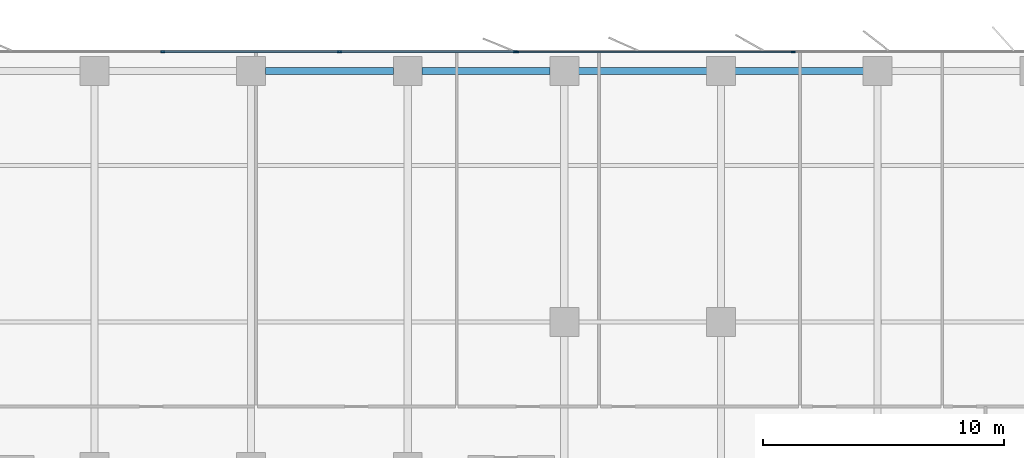
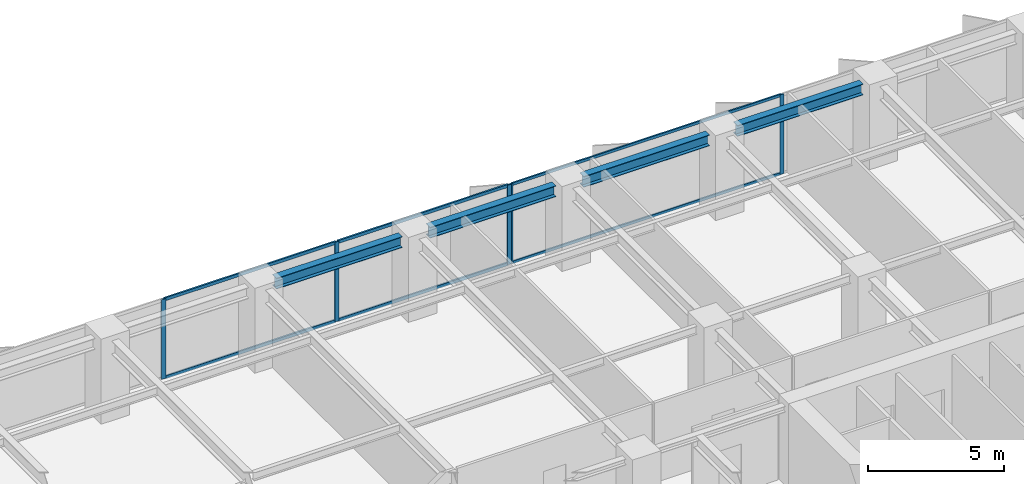
# One storey, part 9 of 20: 11 members, 4 beams, 2 elements without a shape of their own.
"""IFC4 building model written with IfcOpenShell, lengths in metres."""

from ifc_helpers import new_model, si_unit, direction, frame, origin, origin_2d, place, context, subcontext, project, spatial, rectangle, i_section, extrude, material, layer, layer_set, material_profile, profile_set, type_object, element, aggregate, save


model = new_model("IFC4")

# Units and contexts
model_context = context("Model", 3, precision=1e-05, world=origin(), true_north=direction((0.0, 1.0)))
body_context = subcontext(model_context, "Body", "Model", "MODEL_VIEW")
ifc_project = project(units=[si_unit("LENGTHUNIT", "METRE"), si_unit("AREAUNIT", "SQUARE_METRE"), si_unit("VOLUMEUNIT", "CUBIC_METRE"), si_unit("PLANEANGLEUNIT", "RADIAN"), si_unit("MASSUNIT", "GRAM", prefix="KILO")], contexts=[model_context])

# Site, building, storey
site_placement = place(None, origin())
site = spatial("IfcSite", under=ifc_project, at=site_placement, CompositionType="ELEMENT")
building_placement = place(site_placement, origin())
building = spatial("IfcBuilding", under=site, at=building_placement, Name="Putna Gate Headquarters", CompositionType="ELEMENT")
storey_placement = place(building_placement, frame((0.0, 0.0, 108.800048828125)))
storey = spatial("IfcBuildingStorey", under=building, at=storey_placement, Name="L26", CompositionType="ELEMENT", Elevation=108.800048828125)

# Beams
ifc_material_1 = material(Name="Steel S355J2", Category="steel")
ifc_material_profile_1 = material_profile(ifc_material_1, i_section(OverallWidth=0.300048828125, OverallDepth=0.489990234375, WebThickness=0.011962890625, FlangeThickness=0.02294921875, at=origin_2d()), Name="Steel S355J2")
ifc_profile_set_1 = profile_set([ifc_material_profile_1], Name="Steel S355J2")
beam_type = type_object("IfcBeamType", Name="BM-SPAN-Z2-HEA500", PredefinedType="SPANDREL", material=ifc_profile_set_1)
for number, where, z_axis, x_axis, name in (
    (1, (39.587890625, 49.419921875, 3.320068359375), (1.0, 0.0, 0.0), (0.0, 1.0, 0.0), "L26 N Perimeter Spandrel 6"),
    (2, (46.087890625, 49.419921875, 3.320068359375), (1.0, 0.0, 0.0), (0.0, 1.0, 0.0), "L26 N Perimeter Spandrel 7"),
    (3, (52.587890625, 49.419921875, 3.320068359375), (1.0, 0.0, 0.0), (0.0, 1.0, 0.0), "L26 N Perimeter Spandrel 8"),
    (4, (59.087890625, 49.419921875, 3.320068359375), (1.0, 0.0, 0.0), (0.0, 1.0, 0.0), "L26 N Perimeter Spandrel 9"),
):
    element("IfcBeam", number, at=place(storey_placement, frame(where, z_axis=z_axis, x_axis=x_axis)), inside=storey, type_object=beam_type, Name=name, PredefinedType="SPANDREL", context=body_context, shape_type="SweptSolid", body=[
        extrude(i_section(OverallWidth=0.300048828125, OverallDepth=0.489990234375, WebThickness=0.011962890625, FlangeThickness=0.02294921875, at=origin_2d()), origin(), (0.0, 0.0, 1.0), 5.32421875),
    ])

# Curtain wall, members
ifc_material_2 = material(Name="Anodised bronze aluminium curtain wall", Category="aluminium")
ifc_layer_1 = layer(ifc_material_2, 0.159912109375)
ifc_layer_set_1 = layer_set([ifc_layer_1], Name="Anodised bronze aluminium curtain wall")
curtain_wall_type_1 = type_object("IfcCurtainWallType", Name="CW-SYS-Z2", PredefinedType="USERDEFINED", material=ifc_layer_set_1)
curtain_wall_1_placement = place(storey_placement, origin())
curtain_wall_1 = element("IfcCurtainWall", 5, at=curtain_wall_1_placement, inside=storey, type_object=curtain_wall_type_1, Name="L26 North East Curtain Wall", ObjectType="STICK CURTAIN WALL", PredefinedType="USERDEFINED")
ifc_material_3 = material(Name="Anodised bronze aluminium EN AW-6060", Category="aluminium")
ifc_material_profile_2 = material_profile(ifc_material_3, rectangle(XDim=0.06494140625, YDim=0.159912109375, at=origin_2d()), Name="Anodised bronze aluminium EN AW-6060")
ifc_profile_set_2 = profile_set([ifc_material_profile_2], Name="Anodised bronze aluminium EN AW-6060")
member_type_1 = type_object("IfcMemberType", Name="MULL-CWM-2", PredefinedType="MULLION", material=ifc_profile_set_2)
member_1_placement = place(storey_placement, frame((50.032470703125, 50.219970703125, 0.0), z_axis=(0.0, 0.0, 1.0), x_axis=(0.0, 1.0, 0.0)))
member_1 = element("IfcMember", 6, at=member_1_placement, type_object=member_type_1, Name="CWS-2 mullion 1", PredefinedType="MULLION", context=body_context, shape_type="SweptSolid", body=[
    extrude(rectangle(XDim=0.06494140625, YDim=0.159912109375, at=origin_2d()), origin(), (0.0, 0.0, 1.0), 3.56494140625),
])
member_2_placement = place(storey_placement, frame((61.5, 50.219970703125, 0.0), z_axis=(0.0, 0.0, 1.0), x_axis=(0.0, 1.0, 0.0)))
member_2 = element("IfcMember", 7, at=member_2_placement, type_object=member_type_1, Name="CWS-2 mullion 2", PredefinedType="MULLION", context=body_context, shape_type="SweptSolid", body=[
    extrude(rectangle(XDim=0.06494140625, YDim=0.159912109375, at=origin_2d()), origin(), (0.0, 0.0, 1.0), 3.56494140625),
])

ifc_layer_2 = layer(ifc_material_2, 0.179931640625)
ifc_layer_set_2 = layer_set([ifc_layer_2], Name="Anodised bronze aluminium curtain wall")
curtain_wall_type_2 = type_object("IfcCurtainWallType", Name="CW-SYS-ATR", PredefinedType="USERDEFINED", material=ifc_layer_set_2)
curtain_wall_2_placement = place(storey_placement, origin())
curtain_wall_2 = element("IfcCurtainWall", 8, at=curtain_wall_2_placement, inside=storey, type_object=curtain_wall_type_2, Name="L26 North Atrium Clear Glazing", ObjectType="ATRIUM GLAZING", PredefinedType="USERDEFINED")
ifc_material_profile_3 = material_profile(ifc_material_3, rectangle(XDim=0.070068359375, YDim=0.179931640625, at=origin_2d()), Name="Anodised bronze aluminium EN AW-6060")
ifc_profile_set_3 = profile_set([ifc_material_profile_3], Name="Anodised bronze aluminium EN AW-6060")
member_type_2 = type_object("IfcMemberType", Name="MULL-CWM-AT", PredefinedType="MULLION", material=ifc_profile_set_3)
member_3_placement = place(storey_placement, frame((35.333251953125, 50.219970703125, 0.0), z_axis=(0.0, 0.0, 1.0), x_axis=(0.0, 1.0, 0.0)))
member_3 = element("IfcMember", 9, at=member_3_placement, type_object=member_type_2, Name="CWS-AT mullion 2", PredefinedType="MULLION", context=body_context, shape_type="SweptSolid", body=[
    extrude(rectangle(XDim=0.070068359375, YDim=0.179931640625, at=origin_2d()), origin(), (0.0, 0.0, 1.0), 3.56494140625),
])
member_4_placement = place(storey_placement, frame((42.666748046875, 50.219970703125, 0.0), z_axis=(0.0, 0.0, 1.0), x_axis=(0.0, 1.0, 0.0)))
member_4 = element("IfcMember", 10, at=member_4_placement, type_object=member_type_2, Name="CWS-AT mullion 3", PredefinedType="MULLION", context=body_context, shape_type="SweptSolid", body=[
    extrude(rectangle(XDim=0.070068359375, YDim=0.179931640625, at=origin_2d()), origin(), (0.0, 0.0, 1.0), 3.56494140625),
])
member_5_placement = place(storey_placement, frame((49.965087890625, 50.219970703125, 0.0), z_axis=(0.0, 0.0, 1.0), x_axis=(0.0, 1.0, 0.0)))
member_5 = element("IfcMember", 11, at=member_5_placement, type_object=member_type_2, Name="CWS-AT mullion 4", PredefinedType="MULLION", context=body_context, shape_type="SweptSolid", body=[
    extrude(rectangle(XDim=0.070068359375, YDim=0.179931640625, at=origin_2d()), origin(), (0.0, 0.0, 1.0), 3.56494140625),
])

# Member
ifc_material_profile_4 = material_profile(ifc_material_3, rectangle(XDim=0.06494140625, YDim=0.1201171875, at=origin_2d()), Name="Anodised bronze aluminium EN AW-6060")
ifc_profile_set_4 = profile_set([ifc_material_profile_4], Name="Anodised bronze aluminium EN AW-6060")
member_type_3 = type_object("IfcMemberType", Name="TRAN-CWT-2", PredefinedType="USERDEFINED", material=ifc_profile_set_4)
member_6_placement = place(storey_placement, frame((50.06494140625, 50.219970703125, 0.032470703125), z_axis=(1.0, 0.0, 0.0), x_axis=(0.0, 1.0, 0.0)))
member_6 = element("IfcMember", 12, at=member_6_placement, type_object=member_type_3, Name="CWS-2 transom 1.1", ObjectType="TRANSOM", PredefinedType="USERDEFINED", context=body_context, shape_type="SweptSolid", body=[
    extrude(rectangle(XDim=0.06494140625, YDim=0.1201171875, at=origin_2d()), origin(), (0.0, 0.0, 1.0), 11.402587890625),
])

member_7_placement = place(storey_placement, frame((50.06494140625, 50.219970703125, 3.532470703125), z_axis=(1.0, 0.0, 0.0), x_axis=(0.0, 1.0, 0.0)))
member_7 = element("IfcMember", 13, at=member_7_placement, type_object=member_type_3, Name="CWS-2 transom 1.2", ObjectType="TRANSOM", PredefinedType="USERDEFINED", context=body_context, shape_type="SweptSolid", body=[
    extrude(rectangle(XDim=0.06494140625, YDim=0.1201171875, at=origin_2d()), origin(), (0.0, 0.0, 1.0), 11.402587890625),
])

aggregate(curtain_wall_1, [member_1, member_2, member_6, member_7])

ifc_material_profile_5 = material_profile(ifc_material_3, rectangle(XDim=0.070068359375, YDim=0.139892578125, at=origin_2d()), Name="Anodised bronze aluminium EN AW-6060")
ifc_profile_set_5 = profile_set([ifc_material_profile_5], Name="Anodised bronze aluminium EN AW-6060")
member_type_4 = type_object("IfcMemberType", Name="TRAN-CWT-AT", PredefinedType="USERDEFINED", material=ifc_profile_set_5)
member_8_placement = place(storey_placement, frame((35.368408203125, 50.219970703125, 0.034912109375), z_axis=(1.0, 0.0, 0.0), x_axis=(0.0, 1.0, 0.0)))
member_8 = element("IfcMember", 14, at=member_8_placement, type_object=member_type_4, Name="CWS-AT transom 2.1", ObjectType="TRANSOM", PredefinedType="USERDEFINED", context=body_context, shape_type="SweptSolid", body=[
    extrude(rectangle(XDim=0.070068359375, YDim=0.139892578125, at=origin_2d()), origin(), (0.0, 0.0, 1.0), 7.26318359375),
])

member_9_placement = place(storey_placement, frame((35.368408203125, 50.219970703125, 3.530029296875), z_axis=(1.0, 0.0, 0.0), x_axis=(0.0, 1.0, 0.0)))
member_9 = element("IfcMember", 15, at=member_9_placement, type_object=member_type_4, Name="CWS-AT transom 2.2", ObjectType="TRANSOM", PredefinedType="USERDEFINED", context=body_context, shape_type="SweptSolid", body=[
    extrude(rectangle(XDim=0.070068359375, YDim=0.139892578125, at=origin_2d()), origin(), (0.0, 0.0, 1.0), 7.26318359375),
])

member_10_placement = place(storey_placement, frame((42.70166015625, 50.219970703125, 0.034912109375), z_axis=(1.0, 0.0, 0.0), x_axis=(0.0, 1.0, 0.0)))
member_10 = element("IfcMember", 16, at=member_10_placement, type_object=member_type_4, Name="CWS-AT transom 3.1", ObjectType="TRANSOM", PredefinedType="USERDEFINED", context=body_context, shape_type="SweptSolid", body=[
    extrude(rectangle(XDim=0.070068359375, YDim=0.139892578125, at=origin_2d()), origin(), (0.0, 0.0, 1.0), 7.228271484375),
])

member_11_placement = place(storey_placement, frame((42.70166015625, 50.219970703125, 3.530029296875), z_axis=(1.0, 0.0, 0.0), x_axis=(0.0, 1.0, 0.0)))
member_11 = element("IfcMember", 17, at=member_11_placement, type_object=member_type_4, Name="CWS-AT transom 3.2", ObjectType="TRANSOM", PredefinedType="USERDEFINED", context=body_context, shape_type="SweptSolid", body=[
    extrude(rectangle(XDim=0.070068359375, YDim=0.139892578125, at=origin_2d()), origin(), (0.0, 0.0, 1.0), 7.228271484375),
])

aggregate(curtain_wall_2, [member_3, member_4, member_5, member_8, member_9, member_10, member_11])

save(model, "model.ifc")
